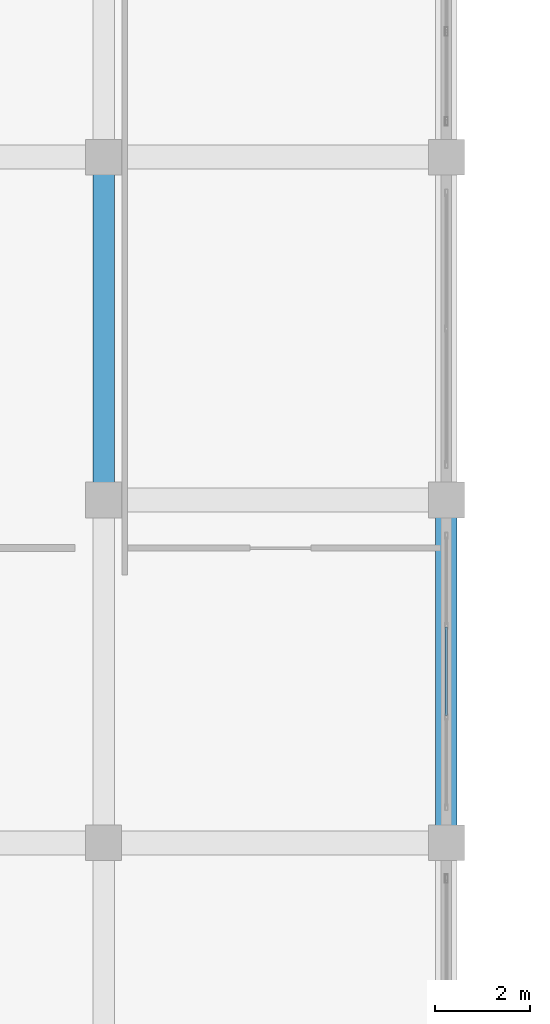
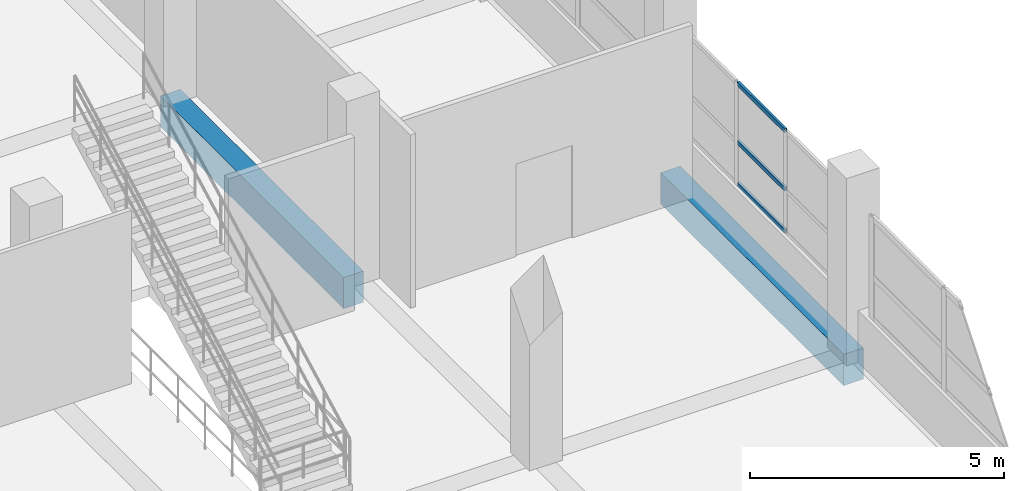
# One storey, part 56 of 141: 3 members, 2 beams, 1 element without a shape of its own.
"""IFC4 building model written with IfcOpenShell, lengths in metres."""

from ifc_helpers import new_model, si_unit, direction, frame, origin, origin_2d, place, context, subcontext, project, spatial, rectangle, hollow_rectangle, extrude, material, layer, layer_set, material_profile, profile_set, type_object, element, aggregate, save


model = new_model("IFC4")

# Units and contexts
model_context = context("Model", 3, precision=1e-05, world=origin(), true_north=direction((0.0, 1.0)))
body_context = subcontext(model_context, "Body", "Model", "MODEL_VIEW")
ifc_project = project(units=[si_unit("LENGTHUNIT", "METRE"), si_unit("AREAUNIT", "SQUARE_METRE"), si_unit("VOLUMEUNIT", "CUBIC_METRE"), si_unit("PLANEANGLEUNIT", "RADIAN"), si_unit("MASSUNIT", "GRAM", prefix="KILO")], contexts=[model_context])

# Site, building, storey
site_placement = place(None, origin())
site = spatial("IfcSite", under=ifc_project, at=site_placement, CompositionType="ELEMENT")
building_placement = place(site_placement, origin())
building = spatial("IfcBuilding", under=site, at=building_placement, Name="Seraya Terrace Polytechnic", CompositionType="ELEMENT")
storey_placement = place(building_placement, frame((0.0, 0.0, 14.39990234375)))
storey = spatial("IfcBuildingStorey", under=building, at=storey_placement, Name="L03", CompositionType="ELEMENT", Elevation=14.39990234375)

# Beams
ifc_material_1 = material(Name="Concrete C40/50", Category="concrete")
ifc_material_profile_1 = material_profile(ifc_material_1, rectangle(XDim=0.449951171875, YDim=0.75, at=origin_2d()), Name="RC 450x750")
ifc_profile_set_1 = profile_set([ifc_material_profile_1], Name="Concrete C40/50")
beam_type = type_object("IfcBeamType", Name="BM-08", PredefinedType="BEAM", material=ifc_profile_set_1)
beam_1_placement = place(storey_placement, frame((100.800048828125, 57.60009765625, -0.375), z_axis=(0.0, 1.0, 0.0), x_axis=(-1.0, 0.0, 0.0)))
element("IfcBeam", 1, at=beam_1_placement, inside=storey, type_object=beam_type, Name="Beam BM-08 L03 Y (100.8, 57.6..64.8)", PredefinedType="BEAM", context=body_context, shape_type="SweptSolid", body=[
    extrude(rectangle(XDim=0.449951171875, YDim=0.75, at=origin_2d()), origin(), (0.0, 0.0, 1.0), 7.199951171875),
])
beam_2_placement = place(storey_placement, frame((108.0, 50.39990234375, -0.375), z_axis=(0.0, 1.0, 0.0), x_axis=(-1.0, 0.0, 0.0)))
element("IfcBeam", 2, at=beam_2_placement, inside=storey, type_object=beam_type, Name="Beam BM-08 L03 Y (108.0, 50.4..57.6)", PredefinedType="BEAM", context=body_context, shape_type="SweptSolid", body=[
    extrude(rectangle(XDim=0.449951171875, YDim=0.75, at=origin_2d()), origin(), (0.0, 0.0, 1.0), 7.2001953125),
])

# Curtain wall, members
ifc_material_2 = material(Name="Anodised aluminium EN AW-6063 T6", Category="aluminium")
ifc_layer = layer(ifc_material_2, 0.179931640625, Name="CW-21")
ifc_layer_set = layer_set([ifc_layer], Name="Anodised aluminium EN AW-6063 T6")
curtain_wall_type = type_object("IfcCurtainWallType", Name="CW-21", PredefinedType="NOTDEFINED", material=ifc_layer_set)
curtain_wall_placement = place(storey_placement, origin())
curtain_wall = element("IfcCurtainWall", 3, at=curtain_wall_placement, inside=storey, type_object=curtain_wall_type, Name="Unitised curtain wall CW-21 (CW-L03-129)", PredefinedType="NOTDEFINED")
ifc_material_profile_2 = material_profile(ifc_material_2, hollow_rectangle(XDim=0.054931640625, YDim=0.10009765625, WallThickness=0.0029296875, at=origin_2d()), Name="RHS 100x55x3.0")
ifc_profile_set_2 = profile_set([ifc_material_profile_2], Name="Anodised aluminium EN AW-6063 T6")
member_type = type_object("IfcMemberType", Name="CWT-03", PredefinedType="USERDEFINED", material=ifc_profile_set_2)
member_1_placement = place(storey_placement, frame((108.0, 54.929931640625, 1.267578125), z_axis=(0.0, -1.0, 0.0), x_axis=(1.0, 0.0, 0.0)))
member_1 = element("IfcMember", 4, at=member_1_placement, type_object=member_type, Name="CW-21 transom 2.1", ObjectType="TRANSOM", PredefinedType="USERDEFINED", context=body_context, shape_type="SweptSolid", body=[
    extrude(hollow_rectangle(XDim=0.054931640625, YDim=0.10009765625, WallThickness=0.0029296875, at=origin_2d()), origin(), (0.0, 0.0, 1.0), 1.85986328125),
])
member_2_placement = place(storey_placement, frame((108.0, 54.929931640625, 2.277587890625), z_axis=(0.0, -1.0, 0.0), x_axis=(1.0, 0.0, 0.0)))
member_2 = element("IfcMember", 5, at=member_2_placement, type_object=member_type, Name="CW-21 transom 2.2", ObjectType="TRANSOM", PredefinedType="USERDEFINED", context=body_context, shape_type="SweptSolid", body=[
    extrude(hollow_rectangle(XDim=0.054931640625, YDim=0.10009765625, WallThickness=0.0029296875, at=origin_2d()), origin(), (0.0, 0.0, 1.0), 1.85986328125),
])
member_3_placement = place(storey_placement, frame((108.0, 54.929931640625, 3.6826171875), z_axis=(0.0, -1.0, 0.0), x_axis=(1.0, 0.0, 0.0)))
member_3 = element("IfcMember", 6, at=member_3_placement, type_object=member_type, Name="CW-21 transom 2.3", ObjectType="TRANSOM", PredefinedType="USERDEFINED", context=body_context, shape_type="SweptSolid", body=[
    extrude(hollow_rectangle(XDim=0.054931640625, YDim=0.10009765625, WallThickness=0.0029296875, at=origin_2d()), origin(), (0.0, 0.0, 1.0), 1.85986328125),
])
aggregate(curtain_wall, [member_1, member_2, member_3])

save(model, "model.ifc")
